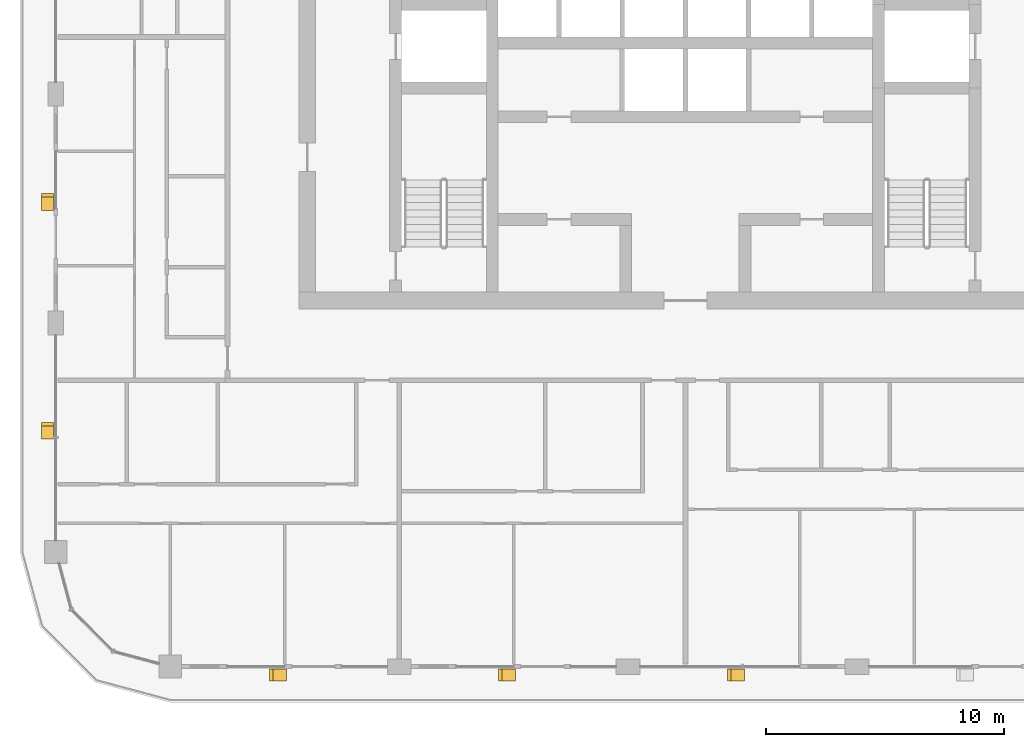
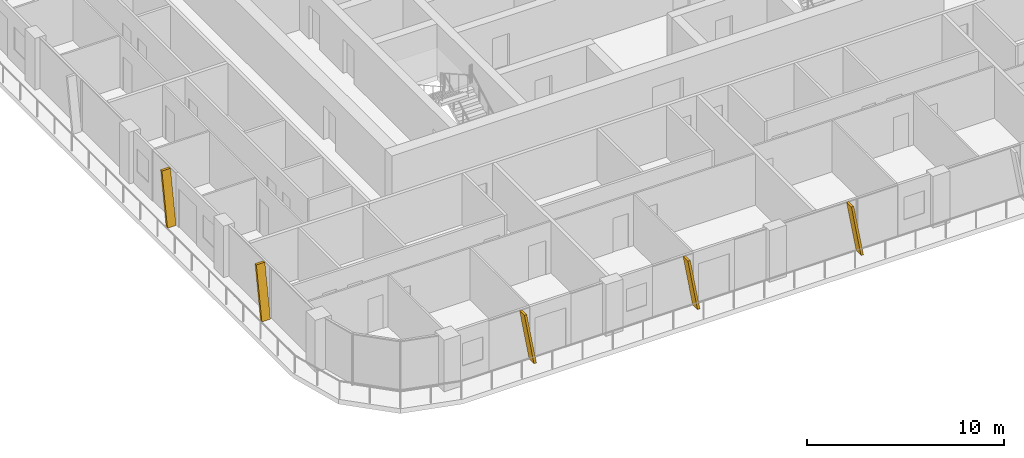
# One storey, part 16 of 21: 5 shading devices.
"""IFC4 building model written with IfcOpenShell, lengths in metres."""

from ifc_helpers import new_model, si_unit, direction, frame, origin, place, context, subcontext, project, spatial, polyline, outline, extrude, material, type_object, element, save


model = new_model("IFC4")

# Units and contexts
model_context = context("Model", 3, precision=1e-05, world=origin(), true_north=direction((0.0, 1.0)))
body_context = subcontext(model_context, "Body", "Model", "MODEL_VIEW")
ifc_project = project(units=[si_unit("LENGTHUNIT", "METRE"), si_unit("AREAUNIT", "SQUARE_METRE"), si_unit("VOLUMEUNIT", "CUBIC_METRE"), si_unit("PLANEANGLEUNIT", "RADIAN"), si_unit("MASSUNIT", "GRAM", prefix="KILO")], contexts=[model_context])

# Site, building, storey
site_placement = place(None, origin())
site = spatial("IfcSite", under=ifc_project, at=site_placement, CompositionType="ELEMENT")
building_placement = place(site_placement, origin())
building = spatial("IfcBuilding", under=site, at=building_placement, Name="Madar Terraces", CompositionType="ELEMENT")
storey_placement = place(building_placement, frame((0.0, 0.0, 196.39990234375)))
storey = spatial("IfcBuildingStorey", under=building, at=storey_placement, Name="L51", CompositionType="ELEMENT", Elevation=196.39990234375)

# Shading devices
ifc_material = material(Name="Aluminium, black anodised", Category="aluminium")
shading_device_type = type_object("IfcShadingDeviceType", Name="Facade fin blade 140 x 500", PredefinedType="USERDEFINED", material=ifc_material)
shading_device_1_placement = place(storey_placement, frame((14.330078125, -0.35009765625, 0.0), z_axis=(0.0, 0.0, 1.0), x_axis=(1.0, 0.0, 0.0)))
element("IfcShadingDevice", 1, at=shading_device_1_placement, inside=storey, type_object=shading_device_type, Name="FIN L51 S1", ObjectType="FIN", PredefinedType="USERDEFINED", context=body_context, shape_type="SweptSolid", body=[
    extrude(outline(polyline([(0.0, 0.0), (0.139892578125, 0.0), (-0.42431640625, 3.2001953125), (-0.564208984375, 3.2001953125), (0.0, 0.0)])), frame((0.0, 0.25, 0.0), z_axis=(0.0, -1.0, 0.0), x_axis=(1.0, 0.0, 0.0)), (0.0, 0.0, 1.0), 0.5),
])
shading_device_2_placement = place(storey_placement, frame((23.929931640625, -0.35009765625, 0.0), z_axis=(0.0, 0.0, 1.0), x_axis=(1.0, 0.0, 0.0)))
element("IfcShadingDevice", 2, at=shading_device_2_placement, inside=storey, type_object=shading_device_type, Name="FIN L51 S2", ObjectType="FIN", PredefinedType="USERDEFINED", context=body_context, shape_type="SweptSolid", body=[
    extrude(outline(polyline([(0.0, 0.0), (0.14013671875, 0.0), (-0.42431640625, 3.2001953125), (-0.564208984375, 3.2001953125), (0.0, 0.0)])), frame((0.0, 0.25, 0.0), z_axis=(0.0, -1.0, 0.0), x_axis=(1.0, 0.0, 0.0)), (0.0, 0.0, 1.0), 0.5),
])
shading_device_3_placement = place(storey_placement, frame((33.530029296875, -0.35009765625, 0.0), z_axis=(0.0, 0.0, 1.0), x_axis=(1.0, 0.0, 0.0)))
element("IfcShadingDevice", 3, at=shading_device_3_placement, inside=storey, type_object=shading_device_type, Name="FIN L51 S3", ObjectType="FIN", PredefinedType="USERDEFINED", context=body_context, shape_type="SweptSolid", body=[
    extrude(outline(polyline([(0.0, 0.0), (0.139892578125, 0.0), (-0.42431640625, 3.2001953125), (-0.564208984375, 3.2001953125), (0.0, 0.0)])), frame((0.0, 0.25, 0.0), z_axis=(0.0, -1.0, 0.0), x_axis=(1.0, 0.0, 0.0)), (0.0, 0.0, 1.0), 0.5),
])
shading_device_4_placement = place(storey_placement, frame((4.449951171875, 19.27001953125, 0.0), z_axis=(0.0, 0.0, 1.0), x_axis=(0.0, -1.0, 0.0)))
element("IfcShadingDevice", 4, at=shading_device_4_placement, inside=storey, type_object=shading_device_type, Name="FIN L51 W3", ObjectType="FIN", PredefinedType="USERDEFINED", context=body_context, shape_type="SweptSolid", body=[
    extrude(outline(polyline([(0.0, 0.0), (0.14013671875, 0.0), (-0.42431640625, 3.2001953125), (-0.564208984375, 3.2001953125), (0.0, 0.0)])), frame((0.0, 0.25, 0.0), z_axis=(0.0, -1.0, 0.0), x_axis=(1.0, 0.0, 0.0)), (0.0, 0.0, 1.0), 0.5),
])
shading_device_5_placement = place(storey_placement, frame((4.449951171875, 9.669921875, 0.0), z_axis=(0.0, 0.0, 1.0), x_axis=(0.0, -1.0, 0.0)))
element("IfcShadingDevice", 5, at=shading_device_5_placement, inside=storey, type_object=shading_device_type, Name="FIN L51 W4", ObjectType="FIN", PredefinedType="USERDEFINED", context=body_context, shape_type="SweptSolid", body=[
    extrude(outline(polyline([(0.0, 0.0), (0.139892578125, 0.0), (-0.42431640625, 3.2001953125), (-0.564208984375, 3.2001953125), (0.0, 0.0)])), frame((0.0, 0.25, 0.0), z_axis=(0.0, -1.0, 0.0), x_axis=(1.0, 0.0, 0.0)), (0.0, 0.0, 1.0), 0.5),
])

save(model, "model.ifc")
